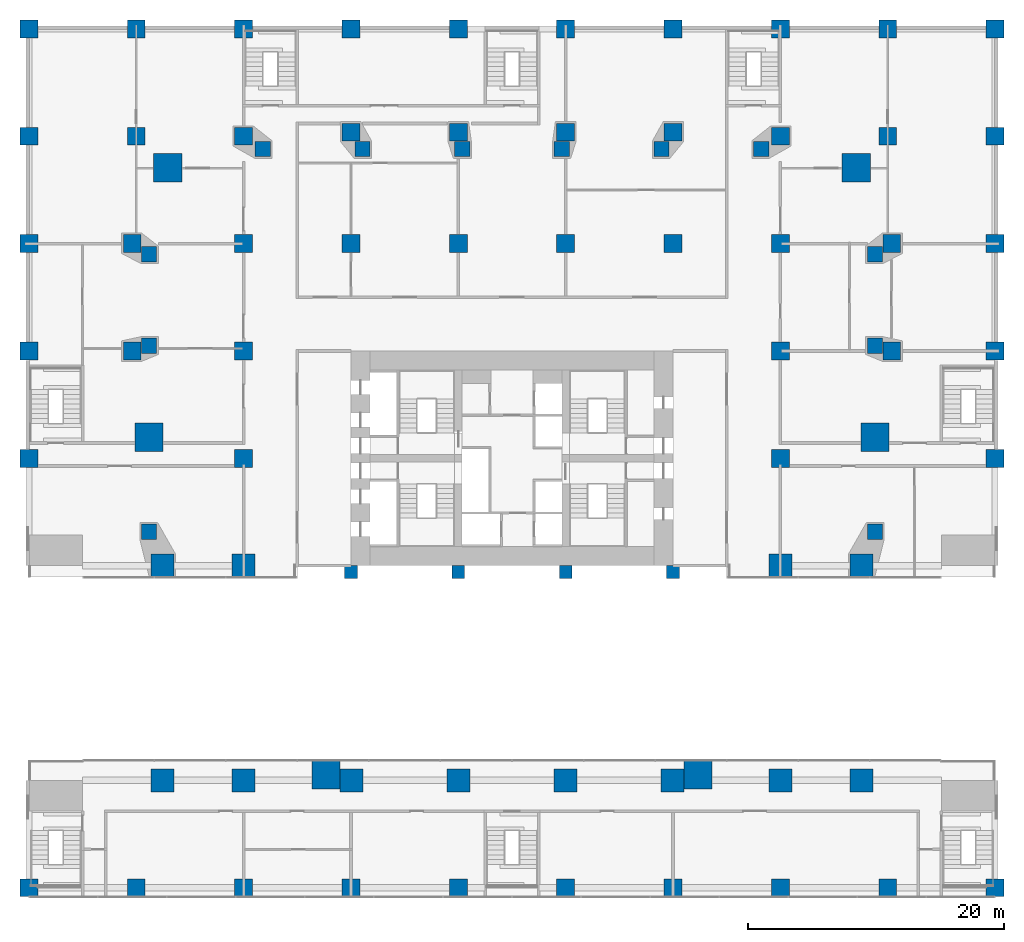
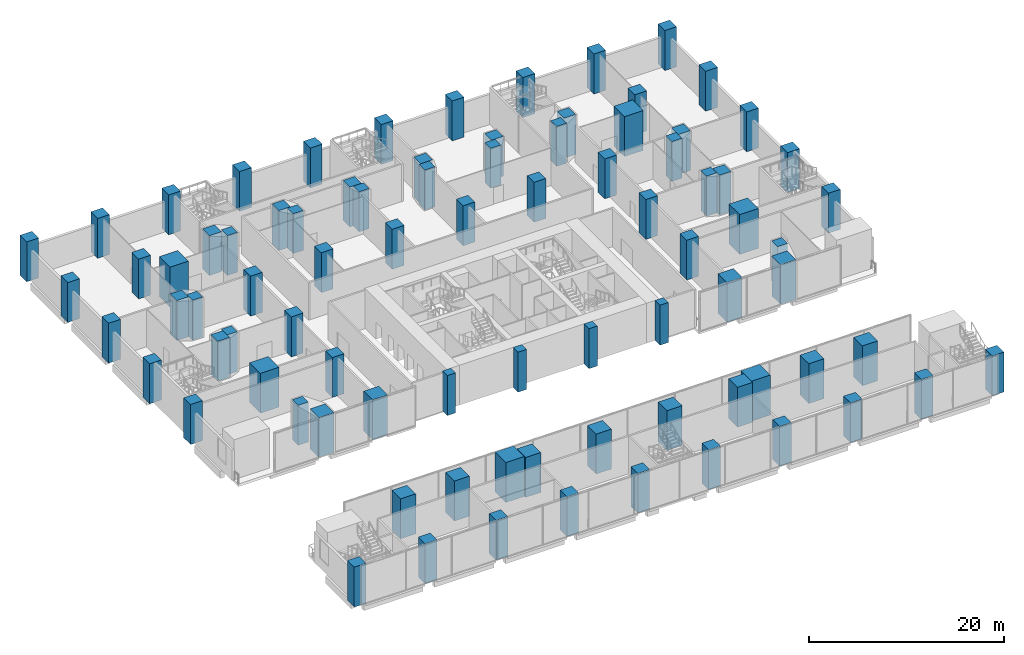
# One storey, part 1 of 24: 84 columns.
"""IFC4 building model written with IfcOpenShell, lengths in metres."""

from ifc_helpers import new_model, si_unit, direction, frame, origin, origin_2d, place, context, subcontext, project, spatial, rectangle, extrude, material, material_profile, profile_set, type_object, element, save


model = new_model("IFC4")

# Units and contexts
model_context = context("Model", 3, precision=1e-05, world=origin(), true_north=direction((0.0, 1.0)))
body_context = subcontext(model_context, "Body", "Model", "MODEL_VIEW")
ifc_project = project(units=[si_unit("LENGTHUNIT", "METRE"), si_unit("AREAUNIT", "SQUARE_METRE"), si_unit("VOLUMEUNIT", "CUBIC_METRE"), si_unit("PLANEANGLEUNIT", "RADIAN"), si_unit("MASSUNIT", "GRAM", prefix="KILO")], contexts=[model_context])

# Site, building, storey
site_placement = place(None, origin())
site = spatial("IfcSite", under=ifc_project, at=site_placement, CompositionType="ELEMENT")
building_placement = place(site_placement, origin())
building = spatial("IfcBuilding", under=site, at=building_placement, Name="Marenta Gate Hotel Tower", CompositionType="ELEMENT")
storey_placement = place(building_placement, frame((0.0, 0.0, 8.0)))
storey = spatial("IfcBuildingStorey", under=building, at=storey_placement, Name="L01", CompositionType="ELEMENT", Elevation=8.0)

# Columns
ifc_material_1 = material(Name="Concrete C80", Category="concrete")
ifc_material_profile_1 = material_profile(ifc_material_1, rectangle(XDim=1.0, YDim=1.0, at=origin_2d()), Name="1000 x 1000")
ifc_profile_set_1 = profile_set([ifc_material_profile_1], Name="Concrete C80")
column_type_1 = type_object("IfcColumnType", Name="Core pier 1000 x 1000 C80", PredefinedType="COLUMN", material=ifc_profile_set_1)
for number, where, z_axis, x_axis, name in (
    (1, (-12.60009765625, -0.5, 0.0), (0.0, 0.0, 1.0), (1.0, 0.0, 0.0), "L01-CP--12.6"),
    (2, (-4.199951171875, -0.5, 0.0), (0.0, 0.0, 1.0), (1.0, 0.0, 0.0), "L01-CP--4.2"),
    (3, (4.199951171875, -0.5, 0.0), (0.0, 0.0, 1.0), (1.0, 0.0, 0.0), "L01-CP-+4.2"),
    (4, (12.60009765625, -0.5, 0.0), (0.0, 0.0, 1.0), (1.0, 0.0, 0.0), "L01-CP-+12.6"),
):
    element("IfcColumn", number, at=place(storey_placement, frame(where, z_axis=z_axis, x_axis=x_axis)), inside=storey, type_object=column_type_1, Name=name, PredefinedType="COLUMN", context=body_context, shape_type="SweptSolid", body=[
        extrude(rectangle(XDim=1.0, YDim=1.0, at=origin_2d()), origin(), (0.0, 0.0, 1.0), 5.0),
    ])
ifc_material_2 = material(Name="Concrete C80", Category="concrete")
ifc_material_profile_2 = material_profile(ifc_material_2, rectangle(XDim=1.800048828125, YDim=1.800048828125, at=origin_2d()), Name="1800 x 1800")
ifc_profile_set_2 = profile_set([ifc_material_profile_2], Name="Concrete C80")
column_type_2 = type_object("IfcColumnType", Name="Gate lane column 1800 x 1800 C80", PredefinedType="COLUMN", material=ifc_profile_set_2)
for number, where, z_axis, x_axis, name in (
    (5, (-21.0, -16.800048828125, 0.0), (0.0, 0.0, 1.0), (1.0, 0.0, 0.0), "L01-PCOL-4/D"),
    (6, (-12.54638671875, -16.800048828125, 0.0), (0.0, 0.0, 1.0), (1.0, 0.0, 0.0), "L01-PCOL-5/D"),
    (7, (-4.199951171875, -16.800048828125, 0.0), (0.0, 0.0, 1.0), (1.0, 0.0, 0.0), "L01-PCOL-6/D"),
    (8, (4.199951171875, -16.800048828125, 0.0), (0.0, 0.0, 1.0), (1.0, 0.0, 0.0), "L01-PCOL-7/D"),
    (9, (12.54638671875, -16.800048828125, 0.0), (0.0, 0.0, 1.0), (1.0, 0.0, 0.0), "L01-PCOL-8/D"),
    (10, (21.0, -16.800048828125, 0.0), (0.0, 0.0, 1.0), (1.0, 0.0, 0.0), "L01-PCOL-9/D"),
    (11, (-21.0, 0.0, 0.0), (0.0, 0.0, 1.0), (1.0, 0.0, 0.0), "L01-PCOL-4/F"),
    (12, (21.0, 0.0, 0.0), (0.0, 0.0, 1.0), (1.0, 0.0, 0.0), "L01-PCOL-9/F"),
    (13, (-27.363037109375, -16.800048828125, 0.0), (0.0, 0.0, 1.0), (1.0, 0.0, 0.0), "L01-PCOL-WS-lane"),
    (14, (-27.363037109375, 0.0, 0.0), (0.0, 0.0, 1.0), (1.0, 0.0, 0.0), "L01-PCOL-WN-lane"),
    (15, (27.363037109375, -16.800048828125, 0.0), (0.0, 0.0, 1.0), (1.0, 0.0, 0.0), "L01-PCOL-ES-lane"),
    (16, (27.363037109375, 0.0, 0.0), (0.0, 0.0, 1.0), (1.0, 0.0, 0.0), "L01-PCOL-EN-lane"),
):
    element("IfcColumn", number, at=place(storey_placement, frame(where, z_axis=z_axis, x_axis=x_axis)), inside=storey, type_object=column_type_2, Name=name, PredefinedType="COLUMN", context=body_context, shape_type="SweptSolid", body=[
        extrude(rectangle(XDim=1.800048828125, YDim=1.800048828125, at=origin_2d()), origin(), (0.0, 0.0, 1.0), 5.0),
    ])
ifc_material_3 = material(Name="Concrete C70", Category="concrete")
ifc_material_profile_3 = material_profile(ifc_material_3, rectangle(XDim=1.199951171875, YDim=1.199951171875, at=origin_2d()), Name="1200 x 1200")
ifc_profile_set_3 = profile_set([ifc_material_profile_3], Name="Concrete C70")
column_type_3 = type_object("IfcColumnType", Name="Podium base column 1200 x 1200 C70", PredefinedType="COLUMN", material=ifc_profile_set_3)
for number, where, z_axis, x_axis, name in (
    (17, (-28.39990234375, 2.649169921875, 0.0), (0.0, 0.0, 1.0), (1.0, 0.0, 0.0), "L01-BC-SW-W-2"),
    (18, (-28.39990234375, 17.203125, 0.0), (0.0, 0.0, 1.0), (1.0, 0.0, 0.0), "L01-BC-W-NW-1"),
    (19, (-28.39990234375, 24.3564453125, 0.0), (0.0, 0.0, 1.0), (1.0, 0.0, 0.0), "L01-BC-W-NW-2"),
    (20, (-19.5068359375, 32.60009765625, 0.0), (0.0, 0.0, 1.0), (1.0, 0.0, 0.0), "L01-BC-NW-NE-1"),
    (21, (-11.7041015625, 32.60009765625, 0.0), (0.0, 0.0, 1.0), (1.0, 0.0, 0.0), "L01-BC-NW-NE-2"),
    (22, (-3.9013671875, 32.60009765625, 0.0), (0.0, 0.0, 1.0), (1.0, 0.0, 0.0), "L01-BC-NW-NE-3"),
    (23, (3.9013671875, 32.60009765625, 0.0), (0.0, 0.0, 1.0), (1.0, 0.0, 0.0), "L01-BC-NW-NE-4"),
    (24, (11.7041015625, 32.60009765625, 0.0), (0.0, 0.0, 1.0), (1.0, 0.0, 0.0), "L01-BC-NW-NE-5"),
    (25, (19.5068359375, 32.60009765625, 0.0), (0.0, 0.0, 1.0), (1.0, 0.0, 0.0), "L01-BC-NW-NE-6"),
    (26, (28.39990234375, 24.3564453125, 0.0), (0.0, 0.0, 1.0), (1.0, 0.0, 0.0), "L01-BC-NE-E-1"),
    (27, (28.39990234375, 17.203125, 0.0), (0.0, 0.0, 1.0), (1.0, 0.0, 0.0), "L01-BC-NE-E-2"),
    (28, (28.39990234375, 2.649169921875, 0.0), (0.0, 0.0, 1.0), (1.0, 0.0, 0.0), "L01-BC-E-SE-1"),
):
    element("IfcColumn", number, at=place(storey_placement, frame(where, z_axis=z_axis, x_axis=x_axis)), inside=storey, type_object=column_type_3, Name=name, PredefinedType="COLUMN", context=body_context, shape_type="SweptSolid", body=[
        extrude(rectangle(XDim=1.199951171875, YDim=1.199951171875, at=origin_2d()), origin(), (0.0, 0.0, 1.0), 5.0),
    ])
ifc_material_4 = material(Name="Concrete C70", Category="concrete")
ifc_material_profile_4 = material_profile(ifc_material_4, rectangle(XDim=1.39990234375, YDim=1.39990234375, at=origin_2d()), Name="1400 x 1400")
ifc_profile_set_4 = profile_set([ifc_material_profile_4], Name="Concrete C70")
column_type_4 = type_object("IfcColumnType", Name="Podium column 1400 x 1400 C70", PredefinedType="COLUMN", material=ifc_profile_set_4)
for number, where, z_axis, x_axis, name in (
    (29, (-37.800048828125, -25.199951171875, 0.0), (0.0, 0.0, 1.0), (1.0, 0.0, 0.0), "L01-PCOL-2/C"),
    (30, (-29.39990234375, -25.199951171875, 0.0), (0.0, 0.0, 1.0), (1.0, 0.0, 0.0), "L01-PCOL-3/C"),
    (31, (-21.0, -25.199951171875, 0.0), (0.0, 0.0, 1.0), (1.0, 0.0, 0.0), "L01-PCOL-4/C"),
    (32, (-12.60009765625, -25.199951171875, 0.0), (0.0, 0.0, 1.0), (1.0, 0.0, 0.0), "L01-PCOL-5/C"),
    (33, (-4.199951171875, -25.199951171875, 0.0), (0.0, 0.0, 1.0), (1.0, 0.0, 0.0), "L01-PCOL-6/C"),
    (34, (4.199951171875, -25.199951171875, 0.0), (0.0, 0.0, 1.0), (1.0, 0.0, 0.0), "L01-PCOL-7/C"),
    (35, (12.60009765625, -25.199951171875, 0.0), (0.0, 0.0, 1.0), (1.0, 0.0, 0.0), "L01-PCOL-8/C"),
    (36, (21.0, -25.199951171875, 0.0), (0.0, 0.0, 1.0), (1.0, 0.0, 0.0), "L01-PCOL-9/C"),
    (37, (29.39990234375, -25.199951171875, 0.0), (0.0, 0.0, 1.0), (1.0, 0.0, 0.0), "L01-PCOL-10/C"),
    (38, (37.800048828125, -25.199951171875, 0.0), (0.0, 0.0, 1.0), (1.0, 0.0, 0.0), "L01-PCOL-11/C"),
    (39, (-37.800048828125, 8.39990234375, 0.0), (0.0, 0.0, 1.0), (1.0, 0.0, 0.0), "L01-PCOL-2/G"),
    (40, (-21.0, 8.39990234375, 0.0), (0.0, 0.0, 1.0), (1.0, 0.0, 0.0), "L01-PCOL-4/G"),
    (41, (21.0, 8.39990234375, 0.0), (0.0, 0.0, 1.0), (1.0, 0.0, 0.0), "L01-PCOL-9/G"),
    (42, (37.800048828125, 8.39990234375, 0.0), (0.0, 0.0, 1.0), (1.0, 0.0, 0.0), "L01-PCOL-11/G"),
    (43, (-37.800048828125, 16.800048828125, 0.0), (0.0, 0.0, 1.0), (1.0, 0.0, 0.0), "L01-PCOL-2/H"),
    (44, (-29.719970703125, 16.800048828125, 0.0), (0.0, 0.0, 1.0), (1.0, 0.0, 0.0), "L01-PCOL-3/H"),
    (45, (-21.0, 16.800048828125, 0.0), (0.0, 0.0, 1.0), (1.0, 0.0, 0.0), "L01-PCOL-4/H"),
    (46, (21.0, 16.800048828125, 0.0), (0.0, 0.0, 1.0), (1.0, 0.0, 0.0), "L01-PCOL-9/H"),
    (47, (29.719970703125, 16.800048828125, 0.0), (0.0, 0.0, 1.0), (1.0, 0.0, 0.0), "L01-PCOL-10/H"),
    (48, (37.800048828125, 16.800048828125, 0.0), (0.0, 0.0, 1.0), (1.0, 0.0, 0.0), "L01-PCOL-11/H"),
    (49, (-37.800048828125, 25.199951171875, 0.0), (0.0, 0.0, 1.0), (1.0, 0.0, 0.0), "L01-PCOL-2/I"),
    (50, (-29.719970703125, 25.199951171875, 0.0), (0.0, 0.0, 1.0), (1.0, 0.0, 0.0), "L01-PCOL-3/I"),
    (51, (-21.0, 25.199951171875, 0.0), (0.0, 0.0, 1.0), (1.0, 0.0, 0.0), "L01-PCOL-4/I"),
    (52, (-12.60009765625, 25.199951171875, 0.0), (0.0, 0.0, 1.0), (1.0, 0.0, 0.0), "L01-PCOL-5/I"),
    (53, (-4.199951171875, 25.199951171875, 0.0), (0.0, 0.0, 1.0), (1.0, 0.0, 0.0), "L01-PCOL-6/I"),
    (54, (4.199951171875, 25.199951171875, 0.0), (0.0, 0.0, 1.0), (1.0, 0.0, 0.0), "L01-PCOL-7/I"),
    (55, (12.60009765625, 25.199951171875, 0.0), (0.0, 0.0, 1.0), (1.0, 0.0, 0.0), "L01-PCOL-8/I"),
    (56, (21.0, 25.199951171875, 0.0), (0.0, 0.0, 1.0), (1.0, 0.0, 0.0), "L01-PCOL-9/I"),
    (57, (29.719970703125, 25.199951171875, 0.0), (0.0, 0.0, 1.0), (1.0, 0.0, 0.0), "L01-PCOL-10/I"),
    (58, (37.800048828125, 25.199951171875, 0.0), (0.0, 0.0, 1.0), (1.0, 0.0, 0.0), "L01-PCOL-11/I"),
    (59, (-37.800048828125, 33.60009765625, 0.0), (0.0, 0.0, 1.0), (1.0, 0.0, 0.0), "L01-PCOL-2/J"),
    (60, (-29.39990234375, 33.60009765625, 0.0), (0.0, 0.0, 1.0), (1.0, 0.0, 0.0), "L01-PCOL-3/J"),
    (61, (-21.0, 33.60009765625, 0.0), (0.0, 0.0, 1.0), (1.0, 0.0, 0.0), "L01-PCOL-4/J"),
    (62, (-12.60009765625, 33.919921875, 0.0), (0.0, 0.0, 1.0), (1.0, 0.0, 0.0), "L01-PCOL-5/J"),
    (63, (-4.199951171875, 33.919921875, 0.0), (0.0, 0.0, 1.0), (1.0, 0.0, 0.0), "L01-PCOL-6/J"),
    (64, (4.199951171875, 33.919921875, 0.0), (0.0, 0.0, 1.0), (1.0, 0.0, 0.0), "L01-PCOL-7/J"),
    (65, (12.60009765625, 33.919921875, 0.0), (0.0, 0.0, 1.0), (1.0, 0.0, 0.0), "L01-PCOL-8/J"),
    (66, (21.0, 33.60009765625, 0.0), (0.0, 0.0, 1.0), (1.0, 0.0, 0.0), "L01-PCOL-9/J"),
    (67, (29.39990234375, 33.60009765625, 0.0), (0.0, 0.0, 1.0), (1.0, 0.0, 0.0), "L01-PCOL-10/J"),
    (68, (37.800048828125, 33.60009765625, 0.0), (0.0, 0.0, 1.0), (1.0, 0.0, 0.0), "L01-PCOL-11/J"),
    (69, (-37.800048828125, 42.0, 0.0), (0.0, 0.0, 1.0), (1.0, 0.0, 0.0), "L01-PCOL-2/K"),
    (70, (-29.39990234375, 42.0, 0.0), (0.0, 0.0, 1.0), (1.0, 0.0, 0.0), "L01-PCOL-3/K"),
    (71, (-21.0, 42.0, 0.0), (0.0, 0.0, 1.0), (1.0, 0.0, 0.0), "L01-PCOL-4/K"),
    (72, (-12.60009765625, 42.0, 0.0), (0.0, 0.0, 1.0), (1.0, 0.0, 0.0), "L01-PCOL-5/K"),
    (73, (-4.199951171875, 42.0, 0.0), (0.0, 0.0, 1.0), (1.0, 0.0, 0.0), "L01-PCOL-6/K"),
    (74, (4.199951171875, 42.0, 0.0), (0.0, 0.0, 1.0), (1.0, 0.0, 0.0), "L01-PCOL-7/K"),
    (75, (12.60009765625, 42.0, 0.0), (0.0, 0.0, 1.0), (1.0, 0.0, 0.0), "L01-PCOL-8/K"),
    (76, (21.0, 42.0, 0.0), (0.0, 0.0, 1.0), (1.0, 0.0, 0.0), "L01-PCOL-9/K"),
    (77, (29.39990234375, 42.0, 0.0), (0.0, 0.0, 1.0), (1.0, 0.0, 0.0), "L01-PCOL-10/K"),
    (78, (37.800048828125, 42.0, 0.0), (0.0, 0.0, 1.0), (1.0, 0.0, 0.0), "L01-PCOL-11/K"),
):
    element("IfcColumn", number, at=place(storey_placement, frame(where, z_axis=z_axis, x_axis=x_axis)), inside=storey, type_object=column_type_4, Name=name, PredefinedType="COLUMN", context=body_context, shape_type="SweptSolid", body=[
        extrude(rectangle(XDim=1.39990234375, YDim=1.39990234375, at=origin_2d()), origin(), (0.0, 0.0, 1.0), 5.0),
    ])
ifc_material_5 = material(Name="Concrete C80", Category="concrete")
ifc_material_profile_5 = material_profile(ifc_material_5, rectangle(XDim=2.199951171875, YDim=2.199951171875, at=origin_2d()), Name="2200 x 2200")
ifc_profile_set_5 = profile_set([ifc_material_profile_5], Name="Concrete C80")
column_type_5 = type_object("IfcColumnType", Name="Podium column under mega column 2200 x 2200 C80", PredefinedType="COLUMN", material=ifc_profile_set_5)
for number, where, z_axis, x_axis, name in (
    (79, (28.39990234375, 10.050048828125, 0.0), (0.0, 0.0, 1.0), (1.0, 0.0, 0.0), "L01-PCOL-E-mega"),
    (80, (-28.39990234375, 10.050048828125, 0.0), (0.0, 0.0, 1.0), (1.0, 0.0, 0.0), "L01-PCOL-W-mega"),
    (81, (26.935546875, 31.135498046875, 0.0), (0.0, 0.0, 1.0), (1.0, 0.0, 0.0), "L01-PCOL-NE-mega"),
    (82, (-26.935546875, 31.135498046875, 0.0), (0.0, 0.0, 1.0), (1.0, 0.0, 0.0), "L01-PCOL-NW-mega"),
    (83, (-14.56640625, -16.374755859375, 0.0), (0.0, 0.0, 1.0), (1.0, 0.0, 0.0), "L01-PCOL-SKW-mega"),
    (84, (14.56640625, -16.374755859375, 0.0), (0.0, 0.0, 1.0), (1.0, 0.0, 0.0), "L01-PCOL-SKE-mega"),
):
    element("IfcColumn", number, at=place(storey_placement, frame(where, z_axis=z_axis, x_axis=x_axis)), inside=storey, type_object=column_type_5, Name=name, PredefinedType="COLUMN", context=body_context, shape_type="SweptSolid", body=[
        extrude(rectangle(XDim=2.199951171875, YDim=2.199951171875, at=origin_2d()), origin(), (0.0, 0.0, 1.0), 5.0),
    ])

save(model, "model.ifc")
